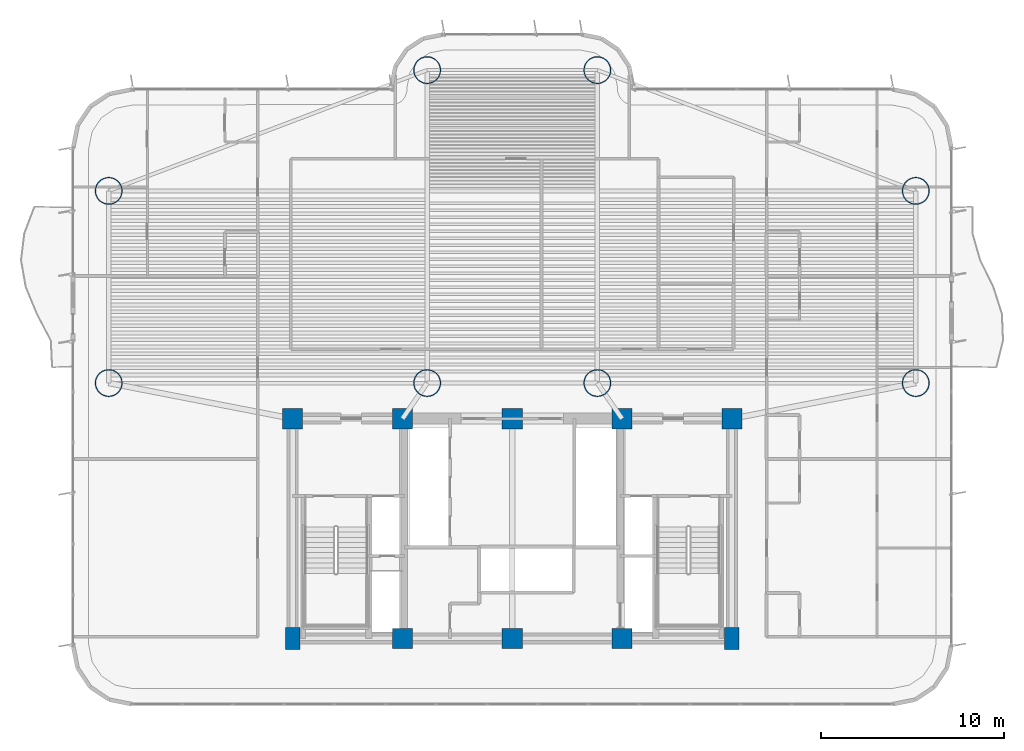
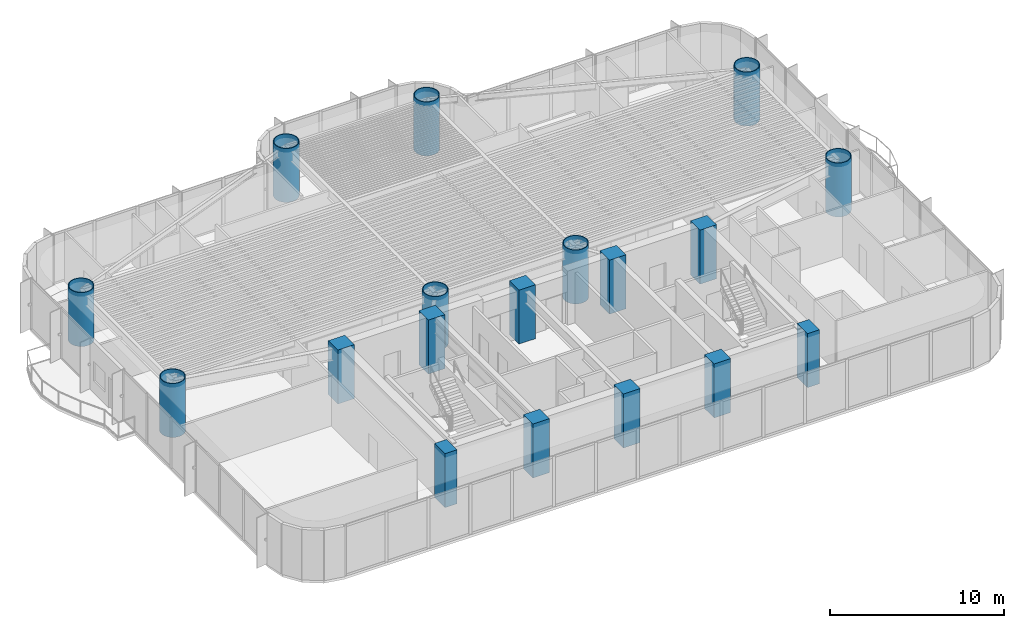
# One storey, part 1 of 18: 18 columns.
"""IFC4 building model written with IfcOpenShell, lengths in metres."""

import ifcopenshell
import ifcopenshell.guid

model = None  # the IFC model being written
_history = None  # IfcOwnerHistory: only IFC2X3 demands one
_inside = {}  # id of a spatial element -> (the spatial element, [elements in it])
_under = {}  # id of a project, library or spatial element -> (it, [spatial elements below it])
_declared = {}  # id of a project -> (the project, [libraries it declares])
_typed = {}  # id of a type object -> (the type object, [elements of that type])
_made_of = {}  # id of a material, layer set ... -> (it, [elements and type objects made of it])


def new_model(schema):
    """Start an empty IFC model of exactly this schema.

    Asked for "IFC4X3", IfcOpenShell would pick the latest addendum, in which some entities
    have other attributes; the version numbers below select the first issue.
    IFC2X3 requires an IfcOwnerHistory on every rooted entity: one is made here for all.
    """
    global model, _history
    if schema == "IFC4X3":
        model = ifcopenshell.file(schema_version=(4, 3, 0, 0))
    else:
        model = ifcopenshell.file(schema=schema)
    _inside.clear()
    _under.clear()
    _declared.clear()
    _typed.clear()
    _made_of.clear()
    _history = None
    if model.schema == "IFC2X3":
        org = make("IfcOrganization", Name="unknown")
        user = make(
            "IfcPersonAndOrganization",
            ThePerson=make("IfcPerson", FamilyName="unknown"),
            TheOrganization=org,
        )
        app = make(
            "IfcApplication",
            ApplicationDeveloper=org,
            Version="unknown",
            ApplicationFullName="unknown",
            ApplicationIdentifier="unknown",
        )
        _history = make(
            "IfcOwnerHistory",
            OwningUser=user,
            OwningApplication=app,
            ChangeAction="ADDED",
            CreationDate=0,
        )
    return model


def make(cls, **values):
    """One entity of the class cls with the attributes given. An attribute that is None is left unset."""
    return model.create_entity(
        cls, **{name: value for name, value in values.items() if value is not None}
    )


def rooted(cls, **values):
    """An entity with a GlobalId (a new one), such as an element, a storey or a relation."""
    return make(cls, GlobalId=ifcopenshell.guid.new(), OwnerHistory=_history, **values)


def si_unit(unit_type, name, prefix=None):
    """IfcSIUnit, for example si_unit("LENGTHUNIT", "METRE", prefix="MILLI")."""
    return make("IfcSIUnit", UnitType=unit_type, Prefix=prefix, Name=name)


def assignment(units):
    """IfcUnitAssignment: the units of a project."""
    return None if units is None else make("IfcUnitAssignment", Units=units)


def point(xyz):
    """IfcCartesianPoint."""
    return None if xyz is None else make("IfcCartesianPoint", Coordinates=xyz)


def direction(xyz):
    """IfcDirection."""
    return None if xyz is None else make("IfcDirection", DirectionRatios=xyz)


def frame(location, z_axis=None, x_axis=None):
    """IfcAxis2Placement3D, a coordinate frame: its origin and axes. An axis left out is left unset."""
    return make(
        "IfcAxis2Placement3D",
        Location=point(location),
        Axis=direction(z_axis),
        RefDirection=direction(x_axis),
    )


def frame_2d(location, x_axis=None):
    """IfcAxis2Placement2D, a coordinate frame in the plane: its origin and x axis."""
    return make(
        "IfcAxis2Placement2D", Location=point(location), RefDirection=direction(x_axis)
    )


def origin():
    """The frame at (0, 0, 0) with its axes left unset."""
    return frame((0.0, 0.0, 0.0))


def origin_2d():
    """The frame at (0, 0) in the plane with its x axis left unset."""
    return frame_2d((0.0, 0.0))


def place(relative_to, where):
    """IfcLocalPlacement: puts the frame where relative to a parent placement (None: the world)."""
    return make(
        "IfcLocalPlacement", PlacementRelTo=relative_to, RelativePlacement=where
    )


def context(
    kind, dimensions, precision=None, world=None, true_north=None, identifier=None
):
    """IfcGeometricRepresentationContext, for example the 3D "Model" context."""
    return make(
        "IfcGeometricRepresentationContext",
        ContextIdentifier=identifier,
        ContextType=kind,
        CoordinateSpaceDimension=dimensions,
        Precision=precision,
        WorldCoordinateSystem=world,
        TrueNorth=true_north,
    )


def subcontext(parent, identifier, kind, view, scale=None):
    """IfcGeometricRepresentationSubContext, for example "Body" below "Model"."""
    return make(
        "IfcGeometricRepresentationSubContext",
        ContextIdentifier=identifier,
        ContextType=kind,
        ParentContext=parent,
        TargetScale=scale,
        TargetView=view,
    )


def project(units=None, contexts=None):
    """IfcProject with its units and contexts."""
    return rooted(
        "IfcProject",
        Name="project",
        RepresentationContexts=contexts,
        UnitsInContext=assignment(units),
    )


def spatial(cls, under=None, at=None, **own):
    """A site, building, storey or space (cls), placed at a placement, below another one or the project."""
    s = rooted(cls, ObjectPlacement=at, **own)
    if under is not None:
        _under.setdefault(under.id(), (under, []))[1].append(s)
    return s


def profile(cls, at=None, kind="AREA", **sizes):
    """A parametric profile (cls). Its sizes go by their IFC names, for example OverallWidth=200.0."""
    return make(cls, ProfileType=kind, Position=at, **sizes)


def rectangle(**sizes):
    """IfcRectangleProfileDef."""
    return profile("IfcRectangleProfileDef", **sizes)


def hollow_circle(**sizes):
    """IfcCircleHollowProfileDef."""
    return profile("IfcCircleHollowProfileDef", **sizes)


def extrude(swept, where, along, depth):
    """IfcExtrudedAreaSolid: the profile swept, set in the frame where, extruded along a direction by depth."""
    return make(
        "IfcExtrudedAreaSolid",
        SweptArea=swept,
        Position=where,
        ExtrudedDirection=direction(along),
        Depth=depth,
    )


def shape(context_of_items, identifier, shape_type, items):
    """IfcShapeRepresentation: the items that make up one representation, for example the "Body"."""
    return make(
        "IfcShapeRepresentation",
        ContextOfItems=context_of_items,
        RepresentationIdentifier=identifier,
        RepresentationType=shape_type,
        Items=items,
    )


def source(mapping_origin, context_of_items, identifier, shape_type, items):
    """IfcRepresentationMap: a shape defined once, which mapped items show again and again."""
    return make(
        "IfcRepresentationMap",
        MappingOrigin=mapping_origin,
        MappedRepresentation=shape(context_of_items, identifier, shape_type, items),
    )


def transform(
    local_origin,
    x_axis=None,
    y_axis=None,
    z_axis=None,
    scale=None,
    scale2=None,
    scale3=None,
    uniform=True,
):
    """IfcCartesianTransformationOperator3D, or its non-uniform kind. x_axis, y_axis, z_axis: its Axis1, 2, 3."""
    if uniform:
        return make(
            "IfcCartesianTransformationOperator3D",
            Axis1=direction(x_axis),
            Axis2=direction(y_axis),
            LocalOrigin=point(local_origin),
            Scale=scale,
            Axis3=direction(z_axis),
        )
    return make(
        "IfcCartesianTransformationOperator3DnonUniform",
        Axis1=direction(x_axis),
        Axis2=direction(y_axis),
        LocalOrigin=point(local_origin),
        Scale=scale,
        Axis3=direction(z_axis),
        Scale2=scale2,
        Scale3=scale3,
    )


def mapped(mapping_source, mapping_target):
    """IfcMappedItem: shows the shape of a source again, moved by a transform."""
    return make(
        "IfcMappedItem", MappingSource=mapping_source, MappingTarget=mapping_target
    )


def material(Name=None, Category=None):
    """IfcMaterial."""
    return make("IfcMaterial", Name=Name, Category=Category)


def material_profile(
    of_material, cross_section, Name=None, Category=None, Priority=None
):
    """IfcMaterialProfile: a cross section and its material."""
    return make(
        "IfcMaterialProfile",
        Name=Name,
        Material=of_material,
        Profile=cross_section,
        Priority=Priority,
        Category=Category,
    )


def profile_set(profiles, Name=None, composite=None):
    """IfcMaterialProfileSet."""
    return make(
        "IfcMaterialProfileSet",
        Name=Name,
        MaterialProfiles=profiles,
        CompositeProfile=composite,
    )


def made_of(thing, what):
    """Note that an element or type object is made of a material, layer set ...; save() writes the relation."""
    if what is not None:
        _made_of.setdefault(what.id(), (what, []))[1].append(thing)
    return thing


def type_object(cls, material=None, **own):
    """A type object (cls), such as IfcWallType, which elements share."""
    return made_of(rooted(cls, **own), material)


def element(
    cls,
    number,
    at=None,
    inside=None,
    cuts=None,
    type_object=None,
    material=None,
    context=None,
    identifier="Body",
    shape_type=None,
    held_by="IfcProductDefinitionShape",
    body=None,
    shapes=None,
    **own,
):
    """One element of the class cls, such as IfcWall. Its Tag is "e" and its number.

    at: its placement. inside: the storey or other place that contains it. cuts: it is an
    opening in that element (IfcRelVoidsElement). A single representation is given by context,
    identifier, shape_type and body (its items); several are given by shapes. held_by: the class
    of the entity that holds the representations. save() writes the other relations.
    """
    e = rooted(cls, Tag="e%d" % number, ObjectPlacement=at, **own)
    if body is not None:
        shapes = [shape(context, identifier, shape_type, body)]
    if shapes is not None:
        e.Representation = make(held_by, Representations=shapes)
    if inside is not None:
        _inside.setdefault(inside.id(), (inside, []))[1].append(e)
    if cuts is not None:
        rooted(
            "IfcRelVoidsElement", RelatingBuildingElement=cuts, RelatedOpeningElement=e
        )
    if type_object is not None:
        _typed.setdefault(type_object.id(), (type_object, []))[1].append(e)
    return made_of(e, material)


def aggregate(whole, parts):
    """IfcRelAggregates: a whole, such as a stair, and the parts it consists of."""
    return rooted("IfcRelAggregates", RelatingObject=whole, RelatedObjects=parts)


def save(model, path):
    """Write the relations noted so far, then the file.

    IfcRelAggregates (storeys below a building ...), IfcRelContainedInSpatialStructure (elements
    in a storey), IfcRelDefinesByType, IfcRelAssociatesMaterial and IfcRelDeclares: one each for
    every whole, place, type object, material and project.
    """
    for whole, parts in _under.values():
        aggregate(whole, parts)
    for where, things in _inside.values():
        rooted(
            "IfcRelContainedInSpatialStructure",
            RelatedElements=things,
            RelatingStructure=where,
        )
    for kind, things in _typed.values():
        rooted("IfcRelDefinesByType", RelatedObjects=things, RelatingType=kind)
    for what, things in _made_of.values():
        rooted("IfcRelAssociatesMaterial", RelatedObjects=things, RelatingMaterial=what)
    for by, libraries in _declared.values():
        rooted("IfcRelDeclares", RelatingContext=by, RelatedDefinitions=libraries)
    model.write(path)


model = new_model("IFC4")

# Units and contexts
model_context = context("Model", 3, precision=1e-05, world=origin(), true_north=direction((0.0, 1.0)))
body_context = subcontext(model_context, "Body", "Model", "MODEL_VIEW")
ifc_project = project(units=[si_unit("LENGTHUNIT", "METRE"), si_unit("AREAUNIT", "SQUARE_METRE"), si_unit("VOLUMEUNIT", "CUBIC_METRE"), si_unit("PLANEANGLEUNIT", "RADIAN"), si_unit("MASSUNIT", "GRAM", prefix="KILO")], contexts=[model_context])

# Site, building, storey
site_placement = place(None, origin())
site = spatial("IfcSite", under=ifc_project, at=site_placement, CompositionType="ELEMENT")
building_placement = place(site_placement, origin())
building = spatial("IfcBuilding", under=site, at=building_placement, Name="Brelvock Crest Care Tower", CompositionType="ELEMENT")
storey_placement = place(building_placement, frame((0.0, 0.0, 72.360107421875)))
storey = spatial("IfcBuildingStorey", under=building, at=storey_placement, Name="L18", CompositionType="ELEMENT", Elevation=72.360107421875)

# Columns
ifc_material_1 = material(Name="Concrete S80 (80 MPa)", Category="concrete")
ifc_material_profile_1 = material_profile(ifc_material_1, rectangle(XDim=0.800048828125, YDim=1.199951171875, at=origin_2d()), Name="RC800x1200")
ifc_profile_set_1 = profile_set([ifc_material_profile_1], Name="Concrete S80 (80 MPa)")
column_type_1 = type_object("IfcColumnType", Name="COL-RC5", PredefinedType="COLUMN", material=ifc_profile_set_1)
shared_shape_1 = source(origin(), body_context, "Body", "SweptSolid", [
    extrude(rectangle(XDim=0.800048828125, YDim=1.199951171875, at=origin_2d()), origin(), (0.0, 0.0, 1.0), 3.77978515625),
])
for number, where, z_axis, x_axis, name in (
    (1, (24.0, 6.0, 0.0), (0.0, 0.0, 1.0), (1.0, 0.0, 0.0), "L18 Core Column CC-01"),
    (2, (48.0, 6.0, 0.0), (0.0, 0.0, 1.0), (1.0, 0.0, 0.0), "L18 Core Column CC-05"),
):
    element("IfcColumn", number, at=place(storey_placement, frame(where, z_axis=z_axis, x_axis=x_axis)), inside=storey, type_object=column_type_1, Name=name, PredefinedType="COLUMN", context=body_context, shape_type="MappedRepresentation", body=[
        mapped(shared_shape_1, transform((0.0, 0.0, 0.0), x_axis=(1.0, 0.0, 0.0), y_axis=(0.0, 1.0, 0.0), z_axis=(0.0, 0.0, 1.0), scale=1.0)),
    ])
ifc_material_profile_2 = material_profile(ifc_material_1, rectangle(XDim=1.10009765625, YDim=1.10009765625, at=origin_2d()), Name="RC1100x1100")
ifc_profile_set_2 = profile_set([ifc_material_profile_2], Name="Concrete S80 (80 MPa)")
column_type_2 = type_object("IfcColumnType", Name="COL-RC1", PredefinedType="COLUMN", material=ifc_profile_set_2)
shared_shape_2 = source(origin(), body_context, "Body", "SweptSolid", [
    extrude(rectangle(XDim=1.10009765625, YDim=1.10009765625, at=origin_2d()), origin(), (0.0, 0.0, 1.0), 3.77978515625),
])
for number, where, z_axis, x_axis, name in (
    (3, (30.0, 6.0, 0.0), (0.0, 0.0, 1.0), (1.0, 0.0, 0.0), "L18 Core Column CC-02"),
    (4, (36.0, 6.0, 0.0), (0.0, 0.0, 1.0), (1.0, 0.0, 0.0), "L18 Core Column CC-03"),
    (5, (42.0, 6.0, 0.0), (0.0, 0.0, 1.0), (1.0, 0.0, 0.0), "L18 Core Column CC-04"),
    (6, (24.0, 18.0, 0.0), (0.0, 0.0, 1.0), (1.0, 0.0, 0.0), "L18 Core Column CC-06"),
    (7, (30.0, 18.0, 0.0), (0.0, 0.0, 1.0), (1.0, 0.0, 0.0), "L18 Core Column CC-07"),
    (8, (36.0, 18.0, 0.0), (0.0, 0.0, 1.0), (1.0, 0.0, 0.0), "L18 Core Column CC-08"),
    (9, (42.0, 18.0, 0.0), (0.0, 0.0, 1.0), (1.0, 0.0, 0.0), "L18 Core Column CC-09"),
    (10, (48.0, 18.0, 0.0), (0.0, 0.0, 1.0), (1.0, 0.0, 0.0), "L18 Core Column CC-10"),
):
    element("IfcColumn", number, at=place(storey_placement, frame(where, z_axis=z_axis, x_axis=x_axis)), inside=storey, type_object=column_type_2, Name=name, PredefinedType="COLUMN", context=body_context, shape_type="MappedRepresentation", body=[
        mapped(shared_shape_2, transform((0.0, 0.0, 0.0), x_axis=(1.0, 0.0, 0.0), y_axis=(0.0, 1.0, 0.0), z_axis=(0.0, 0.0, 1.0), scale=1.0)),
    ])
ifc_material_2 = material(Name="Steel Grade 350", Category="steel")
ifc_material_profile_3 = material_profile(ifc_material_2, hollow_circle(Radius=0.75, WallThickness=0.050048828125, at=origin_2d()), Name="CFT1500x50")
ifc_profile_set_3 = profile_set([ifc_material_profile_3], Name="Steel Grade 350")
column_type_3 = type_object("IfcColumnType", Name="COL-MC1", PredefinedType="COLUMN", material=ifc_profile_set_3)
shared_shape_3 = source(origin(), body_context, "Body", "SweptSolid", [
    extrude(hollow_circle(Radius=0.75, WallThickness=0.050048828125, at=origin_2d()), origin(), (0.0, 0.0, 1.0), 3.77978515625),
])
for number, where, z_axis, x_axis, name in (
    (11, (13.949951171875, 19.949951171875, 0.0), (0.0, 0.0, 1.0), (1.0, 0.0, 0.0), "L18 Tower Column M1"),
    (12, (13.949951171875, 30.449951171875, 0.0), (0.0, 0.0, 1.0), (1.0, 0.0, 0.0), "L18 Tower Column M2"),
    (13, (58.050048828125, 19.949951171875, 0.0), (0.0, 0.0, 1.0), (1.0, 0.0, 0.0), "L18 Tower Column M3"),
    (14, (58.050048828125, 30.449951171875, 0.0), (0.0, 0.0, 1.0), (1.0, 0.0, 0.0), "L18 Tower Column M4"),
    (15, (31.35009765625, 19.949951171875, 0.0), (0.0, 0.0, 1.0), (1.0, 0.0, 0.0), "L18 Tower Column M5"),
    (16, (40.64990234375, 19.949951171875, 0.0), (0.0, 0.0, 1.0), (1.0, 0.0, 0.0), "L18 Tower Column M6"),
    (17, (31.35009765625, 37.050048828125, 0.0), (0.0, 0.0, 1.0), (1.0, 0.0, 0.0), "L18 Tower Column M7"),
    (18, (40.64990234375, 37.050048828125, 0.0), (0.0, 0.0, 1.0), (1.0, 0.0, 0.0), "L18 Tower Column M8"),
):
    element("IfcColumn", number, at=place(storey_placement, frame(where, z_axis=z_axis, x_axis=x_axis)), inside=storey, type_object=column_type_3, Name=name, PredefinedType="COLUMN", context=body_context, shape_type="MappedRepresentation", body=[
        mapped(shared_shape_3, transform((0.0, 0.0, 0.0), x_axis=(1.0, 0.0, 0.0), y_axis=(0.0, 1.0, 0.0), z_axis=(0.0, 0.0, 1.0), scale=1.0)),
    ])

save(model, "model.ifc")
